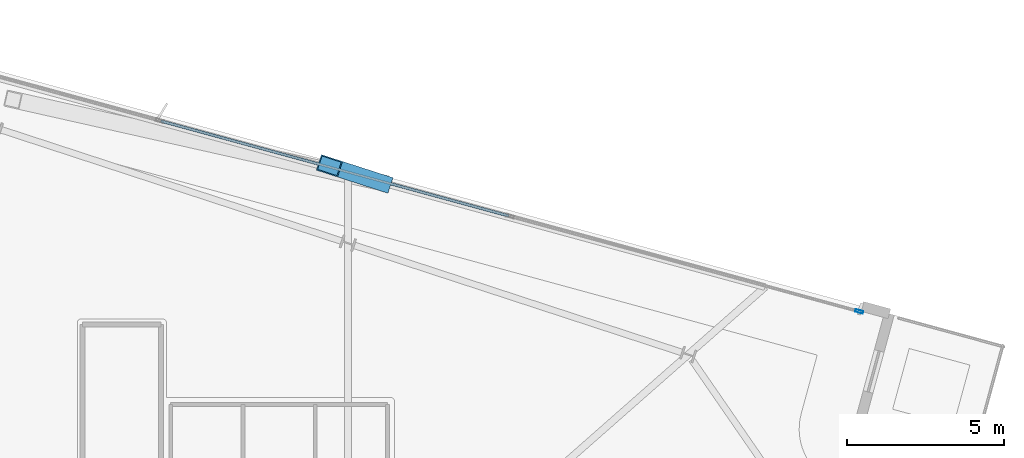
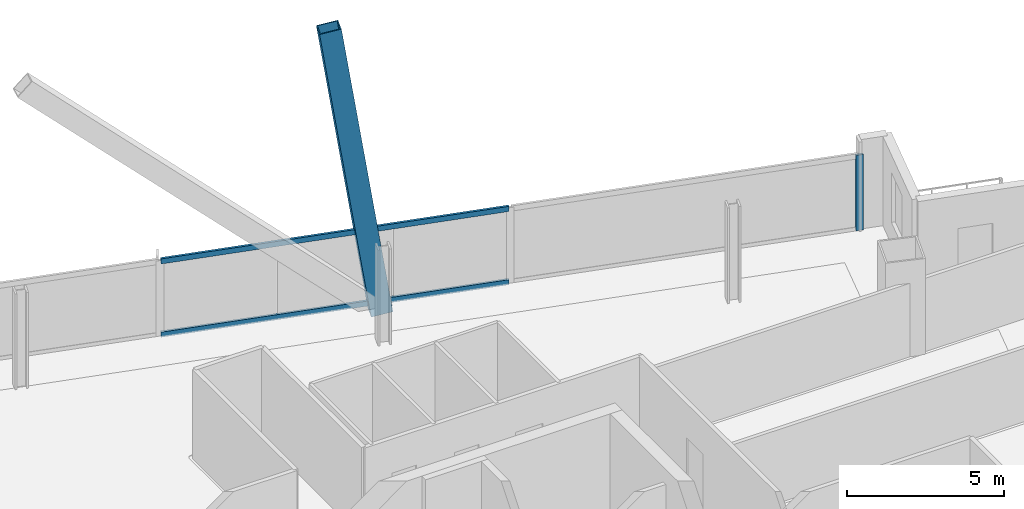
# One storey, part 18 of 26: 4 members, 1 element without a shape of its own.
"""IFC4 building model written with IfcOpenShell, lengths in metres."""

from ifc_helpers import new_model, si_unit, direction, frame, origin, origin_2d, place, context, subcontext, project, spatial, hollow_rectangle, extrude, material, material_profile, profile_set, type_object, element, aggregate, save


model = new_model("IFC4")

# Units and contexts
model_context = context("Model", 3, precision=1e-05, world=origin(), true_north=direction((0.0, 1.0)))
body_context = subcontext(model_context, "Body", "Model", "MODEL_VIEW")
ifc_project = project(units=[si_unit("LENGTHUNIT", "METRE"), si_unit("AREAUNIT", "SQUARE_METRE"), si_unit("VOLUMEUNIT", "CUBIC_METRE"), si_unit("PLANEANGLEUNIT", "RADIAN"), si_unit("MASSUNIT", "GRAM", prefix="KILO")], contexts=[model_context])

# Site, building, storey
site_placement = place(None, origin())
site = spatial("IfcSite", under=ifc_project, at=site_placement, CompositionType="ELEMENT")
building_placement = place(site_placement, origin())
building = spatial("IfcBuilding", under=site, at=building_placement, Name="Haldenkirk Collegiate Tower", CompositionType="ELEMENT")
storey_placement = place(building_placement, frame((0.0, 0.0, 278.699951171875)))
storey = spatial("IfcBuildingStorey", under=building, at=storey_placement, Name="L70", CompositionType="ELEMENT", Elevation=278.699951171875)

# Curtain wall, members
ifc_material_1 = material(Name="Anodised architectural bronze aluminium", Category="aluminium")
curtain_wall_type = type_object("IfcCurtainWallType", Name="CW-SYS1B-CONVEX-HI", PredefinedType="USERDEFINED", material=ifc_material_1)
curtain_wall_placement = place(storey_placement, origin())
curtain_wall = element("IfcCurtainWall", 1, at=curtain_wall_placement, inside=storey, type_object=curtain_wall_type, Name="L70 Upper tower high-wind convex bronze unitised curtain wall", ObjectType="UNITISED CURTAIN WALL", PredefinedType="USERDEFINED")
ifc_material_profile_1 = material_profile(ifc_material_1, hollow_rectangle(XDim=0.0849609375, YDim=0.25, WallThickness=0.0048828125, at=origin_2d()), Name="CW-MUL-1B")
ifc_profile_set_1 = profile_set([ifc_material_profile_1], Name="Anodised architectural bronze aluminium")
member_type_1 = type_object("IfcMemberType", Name="CW-MUL-1B", PredefinedType="MULLION", material=ifc_profile_set_1)
member_1_placement = place(storey_placement, frame((59.461181640625, 43.308349609375, 0.0), z_axis=(0.0, 0.0, 1.0), x_axis=(0.263031020173, 0.964787376797, 0.0)))
member_1 = element("IfcMember", 2, at=member_1_placement, type_object=member_type_1, Name="CW-1B mullion 4", PredefinedType="MULLION", context=body_context, shape_type="SweptSolid", body=[
    extrude(hollow_rectangle(XDim=0.0849609375, YDim=0.25, WallThickness=0.0048828125, at=origin_2d()), origin(), (0.0, 0.0, 1.0), 2.93798828125),
])
ifc_material_profile_2 = material_profile(ifc_material_1, hollow_rectangle(XDim=0.0849609375, YDim=0.199951171875, WallThickness=0.0048828125, at=origin_2d()), Name="CW-TRN-1B")
ifc_profile_set_2 = profile_set([ifc_material_profile_2], Name="Anodised architectural bronze aluminium")
member_type_2 = type_object("IfcMemberType", Name="CW-TRN-1B", PredefinedType="USERDEFINED", material=ifc_profile_set_2)
member_2_placement = place(storey_placement, frame((37.24072265625, 49.366455078125, 0.04248046875), z_axis=(0.964787878793, -0.263029178865, 0.0), x_axis=(0.263029178865, 0.964787878793, 0.0)))
member_2 = element("IfcMember", 3, at=member_2_placement, type_object=member_type_2, Name="CW-1B transom 2.1", ObjectType="TRANSOM", PredefinedType="USERDEFINED", context=body_context, shape_type="SweptSolid", body=[
    extrude(hollow_rectangle(XDim=0.0849609375, YDim=0.199951171875, WallThickness=0.0048828125, at=origin_2d()), origin(), (0.0, 0.0, 1.0), 11.473388671875),
])
member_3_placement = place(storey_placement, frame((37.24072265625, 49.366455078125, 2.8955078125), z_axis=(0.964787878793, -0.263029178865, 0.0), x_axis=(0.263029178865, 0.964787878793, 0.0)))
member_3 = element("IfcMember", 4, at=member_3_placement, type_object=member_type_2, Name="CW-1B transom 2.2", ObjectType="TRANSOM", PredefinedType="USERDEFINED", context=body_context, shape_type="SweptSolid", body=[
    extrude(hollow_rectangle(XDim=0.0849609375, YDim=0.199951171875, WallThickness=0.0048828125, at=origin_2d()), origin(), (0.0, 0.0, 1.0), 11.473388671875),
])
aggregate(curtain_wall, [member_1, member_2, member_3])

# Member
ifc_material_2 = material(Name="Steel ASTM A572 Grade 50", Category="steel")
ifc_material_profile_3 = material_profile(ifc_material_2, hollow_rectangle(XDim=0.52001953125, YDim=0.719970703125, WallThickness=0.035888671875, at=origin_2d()), Name="BOX720X520X36")
ifc_profile_set_3 = profile_set([ifc_material_profile_3], Name="Steel ASTM A572 Grade 50")
member_type_3 = type_object("IfcMemberType", Name="MBR-MEGABRACE-BOX720X520X36", PredefinedType="BRACE", material=ifc_profile_set_3)
member_4_placement = place(storey_placement, frame((44.20458984375, 47.426513671875, -0.280029296875), z_axis=(-0.140815422954, 0.045457562234, 0.988991722258), x_axis=(-0.307206191929, -0.951642976983, 0.0)))
element("IfcMember", 5, at=member_4_placement, inside=storey, type_object=member_type_3, Name="Perimeter Mega Brace Z5 L70-L72 EL", PredefinedType="BRACE", context=body_context, shape_type="SweptSolid", body=[
    extrude(hollow_rectangle(XDim=0.52001953125, YDim=0.719970703125, WallThickness=0.035888671875, at=origin_2d()), origin(), (0.0, 0.0, 1.0), 11.375244140625),
])

save(model, "model.ifc")
